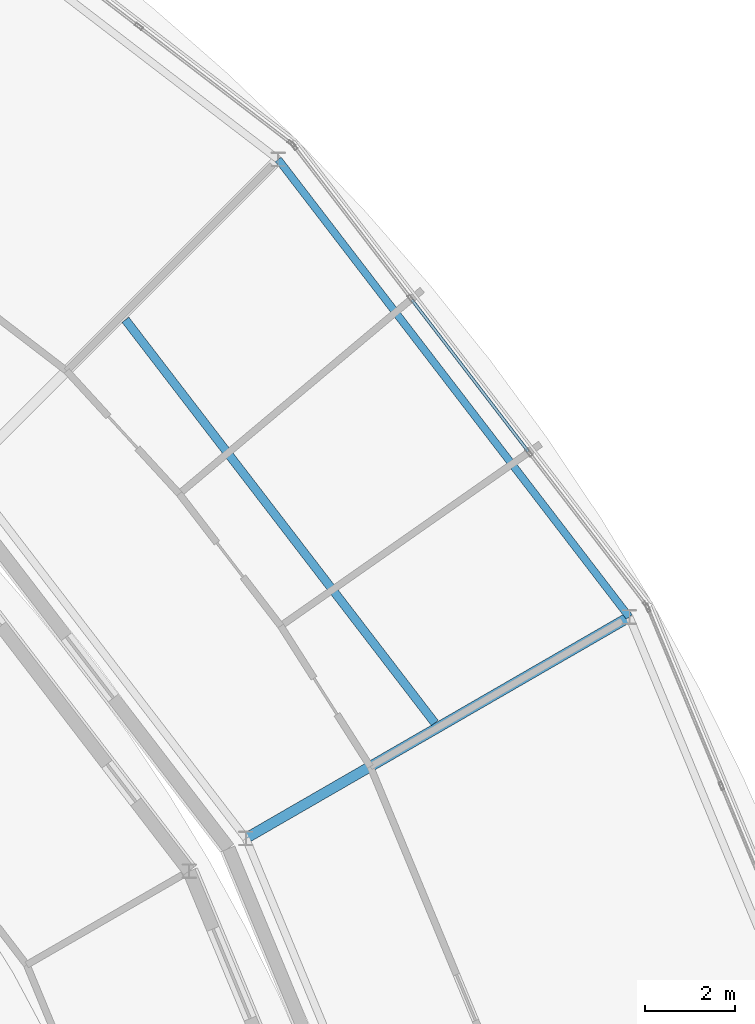
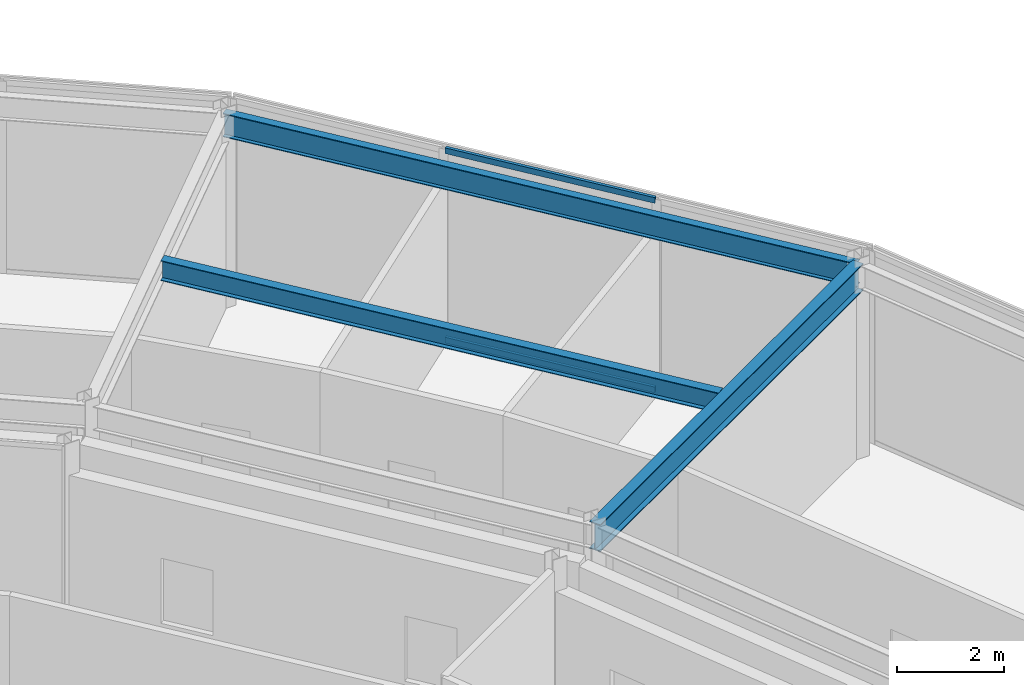
# One storey, part 56 of 116: 3 beams, 2 members, 1 element without a shape of its own.
"""IFC4 building model written with IfcOpenShell, lengths in metres."""

from ifc_helpers import new_model, si_unit, direction, frame, origin, origin_2d, place, context, subcontext, project, spatial, hollow_rectangle, i_section, extrude, material, material_profile, profile_set, type_object, element, aggregate, save


model = new_model("IFC4")

# Units and contexts
model_context = context("Model", 3, precision=1e-05, world=origin(), true_north=direction((0.0, 1.0)))
body_context = subcontext(model_context, "Body", "Model", "MODEL_VIEW")
ifc_project = project(units=[si_unit("LENGTHUNIT", "METRE"), si_unit("AREAUNIT", "SQUARE_METRE"), si_unit("VOLUMEUNIT", "CUBIC_METRE"), si_unit("PLANEANGLEUNIT", "RADIAN"), si_unit("MASSUNIT", "GRAM", prefix="KILO")], contexts=[model_context])

# Site, building, storey
site_placement = place(None, origin())
site = spatial("IfcSite", under=ifc_project, at=site_placement, CompositionType="ELEMENT")
building_placement = place(site_placement, origin())
building = spatial("IfcBuilding", under=site, at=building_placement, Name="Almandine Court Research Institute", CompositionType="ELEMENT")
storey_placement = place(building_placement, frame((0.0, 0.0, 14.35009765625)))
storey = spatial("IfcBuildingStorey", under=building, at=storey_placement, Name="L03", CompositionType="ELEMENT", Elevation=14.35009765625)

# Beams
ifc_material_1 = material(Name="Steel ASTM A992 Grade 50", Category="steel")
ifc_material_profile_1 = material_profile(ifc_material_1, i_section(OverallWidth=0.18994140625, OverallDepth=0.45703125, WebThickness=0.009033203125, FlangeThickness=0.014892578125, at=origin_2d()), Name="W460x74")
ifc_profile_set_1 = profile_set([ifc_material_profile_1], Name="Steel ASTM A992 Grade 50")
beam_type_1 = type_object("IfcBeamType", Name="Beam-B-01", PredefinedType="BEAM", material=ifc_profile_set_1)
beam_1_placement = place(storey_placement, frame((125.044921875, 78.10400390625, 4.140869140625), z_axis=(-0.608773677202, 0.793343941772, 0.0), x_axis=(-0.793343941772, -0.608773677202, 0.0)))
element("IfcBeam", 1, at=beam_1_placement, inside=storey, type_object=beam_type_1, Name="L03 Drum MID Ring Beam 02", PredefinedType="BEAM", context=body_context, shape_type="SweptSolid", body=[
    extrude(i_section(OverallWidth=0.18994140625, OverallDepth=0.45703125, WebThickness=0.009033203125, FlangeThickness=0.014892578125, at=origin_2d()), origin(), (0.0, 0.0, 1.0), 11.248779296875),
])
ifc_material_profile_2 = material_profile(ifc_material_1, i_section(OverallWidth=0.22998046875, OverallDepth=0.616943359375, WebThickness=0.012939453125, FlangeThickness=0.02197265625, at=origin_2d()), Name="W610x140")
ifc_profile_set_2 = profile_set([ifc_material_profile_2], Name="Steel ASTM A992 Grade 50")
beam_type_2 = type_object("IfcBeamType", Name="Beam-G-02", PredefinedType="BEAM", material=ifc_profile_set_2)
beam_2_placement = place(storey_placement, frame((120.862060546875, 75.550048828125, 4.06201171875), z_axis=(0.866030014362, 0.49999201416, 0.0), x_axis=(-0.49999201416, 0.866030014362, 0.0)))
element("IfcBeam", 2, at=beam_2_placement, inside=storey, type_object=beam_type_2, Name="L03 Drum Radial Girder 02", PredefinedType="BEAM", context=body_context, shape_type="SweptSolid", body=[
    extrude(i_section(OverallWidth=0.22998046875, OverallDepth=0.616943359375, WebThickness=0.012939453125, FlangeThickness=0.02197265625, at=origin_2d()), origin(), (0.0, 0.0, 1.0), 9.800048828125),
])
ifc_material_profile_3 = material_profile(ifc_material_1, i_section(OverallWidth=0.166015625, OverallDepth=0.534912109375, WebThickness=0.010009765625, FlangeThickness=0.01708984375, at=origin_2d()), Name="W530x85")
ifc_profile_set_3 = profile_set([ifc_material_profile_3], Name="Steel ASTM A992 Grade 50")
beam_type_3 = type_object("IfcBeamType", Name="Beam-G-05-E", PredefinedType="SPANDREL", material=ifc_profile_set_3)
beam_3_placement = place(storey_placement, frame((129.34912109375, 80.449951171875, 4.102783203125), z_axis=(-0.608751886289, 0.793360662587, 0.0), x_axis=(-0.793360662587, -0.608751886289, 0.0)))
element("IfcBeam", 3, at=beam_3_placement, inside=storey, type_object=beam_type_3, Name="L03 Drum OUT Ring Beam 02", PredefinedType="SPANDREL", context=body_context, shape_type="SweptSolid", body=[
    extrude(i_section(OverallWidth=0.166015625, OverallDepth=0.534912109375, WebThickness=0.010009765625, FlangeThickness=0.01708984375, at=origin_2d()), origin(), (0.0, 0.0, 1.0), 12.765869140625),
])

# Curtain wall, members
ifc_material_2 = material(Name="Unitised Curtain Wall Framing and Solar Glazing", Category="glass")
curtain_wall_type = type_object("IfcCurtainWallType", Name="CW-CWJ-19", PredefinedType="USERDEFINED", material=ifc_material_2)
curtain_wall_placement = place(storey_placement, origin())
curtain_wall = element("IfcCurtainWall", 4, at=curtain_wall_placement, inside=storey, type_object=curtain_wall_type, Name="L03 Stacked-Ring Drum Outer Solar Jali Screen 02", ObjectType="SOLAR JALI SCREEN", PredefinedType="USERDEFINED")
ifc_material_3 = material(Name="Anodised Aluminium AW-6063-T6", Category="aluminium")
ifc_material_profile_4 = material_profile(ifc_material_3, hollow_rectangle(XDim=0.06494140625, YDim=0.1298828125, WallThickness=0.00390625, at=origin_2d()), Name="ALU RHS 65x130x4")
ifc_profile_set_4 = profile_set([ifc_material_profile_4], Name="Anodised Aluminium AW-6063-T6")
member_type = type_object("IfcMemberType", Name="CWTrn-65x130", PredefinedType="NOTDEFINED", material=ifc_profile_set_4)
member_1_placement = place(storey_placement, frame((124.538818359375, 87.468505859375, 0.032470703125), z_axis=(0.608741867566, -0.793368349931, 0.0), x_axis=(0.793368349931, 0.608741867566, 0.0)))
member_1 = element("IfcMember", 5, at=member_1_placement, type_object=member_type, Name="CWJ-19 transom 2.1", ObjectType="TRANSOM", PredefinedType="USERDEFINED", context=body_context, shape_type="SweptSolid", body=[
    extrude(hollow_rectangle(XDim=0.06494140625, YDim=0.1298828125, WallThickness=0.00390625, at=origin_2d()), origin(), (0.0, 0.0, 1.0), 4.2275390625),
])
member_2_placement = place(storey_placement, frame((124.538818359375, 87.468505859375, 4.33740234375), z_axis=(0.608741867566, -0.793368349931, 0.0), x_axis=(0.793368349931, 0.608741867566, 0.0)))
member_2 = element("IfcMember", 6, at=member_2_placement, type_object=member_type, Name="CWJ-19 transom 2.2", ObjectType="TRANSOM", PredefinedType="USERDEFINED", context=body_context, shape_type="SweptSolid", body=[
    extrude(hollow_rectangle(XDim=0.06494140625, YDim=0.1298828125, WallThickness=0.00390625, at=origin_2d()), origin(), (0.0, 0.0, 1.0), 4.2275390625),
])
aggregate(curtain_wall, [member_1, member_2])

save(model, "model.ifc")
